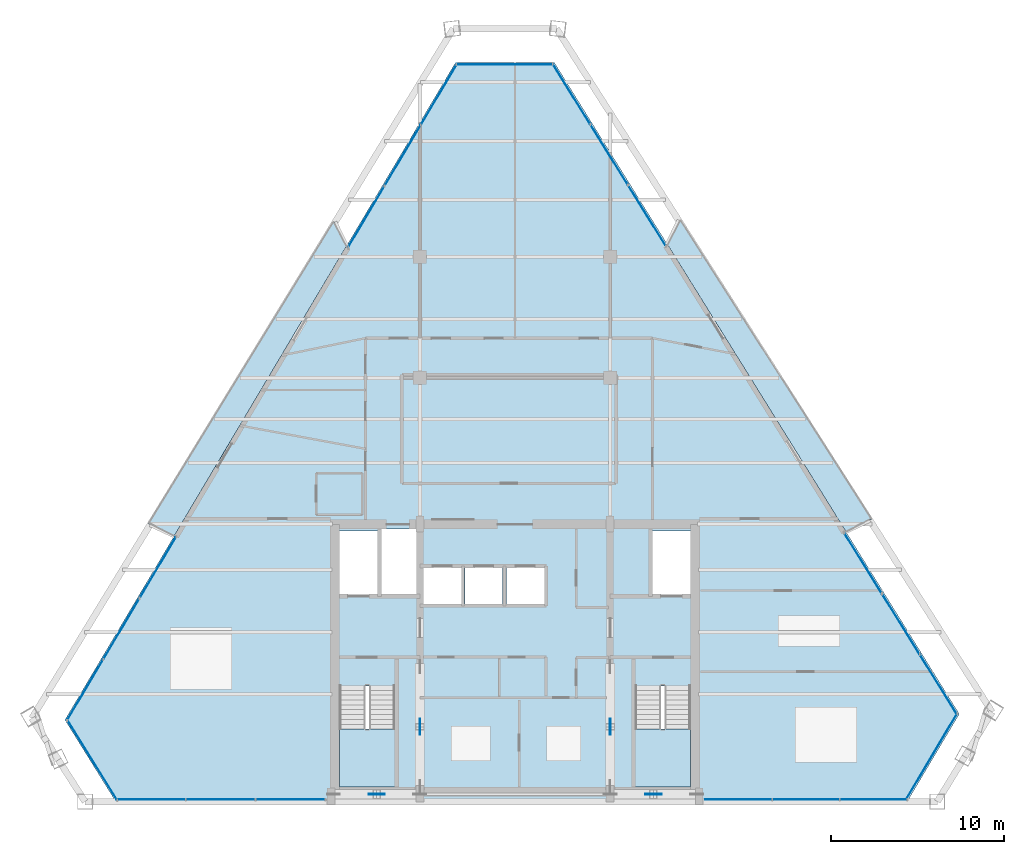
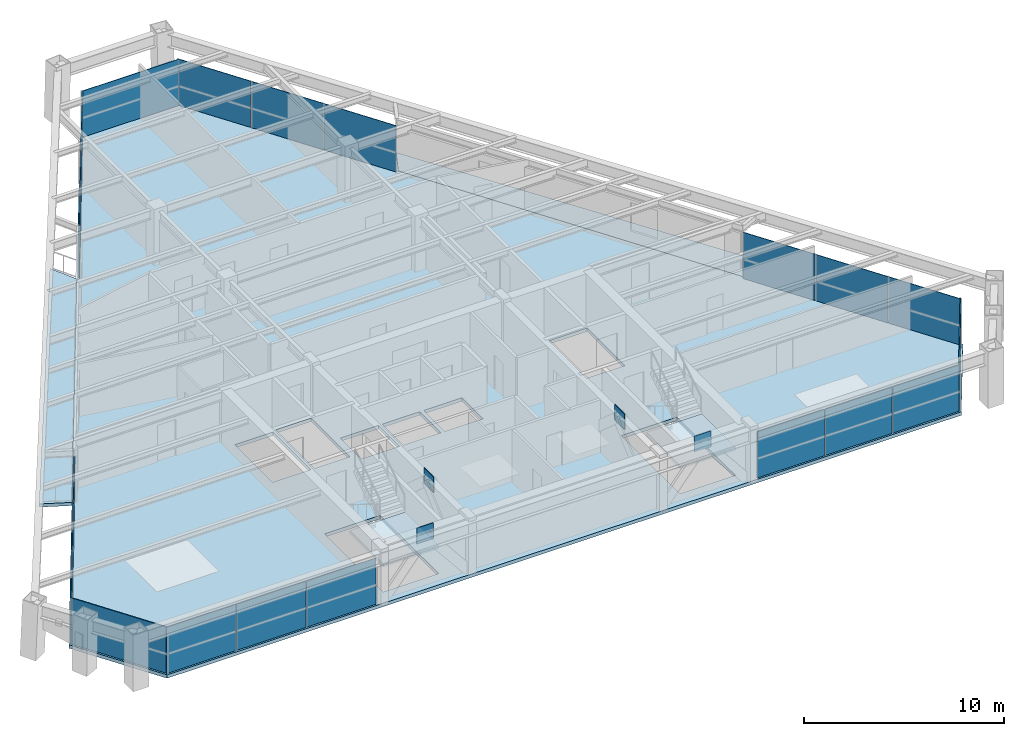
# One storey, part 7 of 12: 25 plates, 5 slabs, 11 elements without a shape of their own.
"""IFC4 building model written with IfcOpenShell, lengths in metres."""

import ifcopenshell
import ifcopenshell.guid

model = None  # the IFC model being written
_history = None  # IfcOwnerHistory: only IFC2X3 demands one
_inside = {}  # id of a spatial element -> (the spatial element, [elements in it])
_under = {}  # id of a project, library or spatial element -> (it, [spatial elements below it])
_declared = {}  # id of a project -> (the project, [libraries it declares])
_typed = {}  # id of a type object -> (the type object, [elements of that type])
_made_of = {}  # id of a material, layer set ... -> (it, [elements and type objects made of it])


def new_model(schema):
    """Start an empty IFC model of exactly this schema.

    Asked for "IFC4X3", IfcOpenShell would pick the latest addendum, in which some entities
    have other attributes; the version numbers below select the first issue.
    IFC2X3 requires an IfcOwnerHistory on every rooted entity: one is made here for all.
    """
    global model, _history
    if schema == "IFC4X3":
        model = ifcopenshell.file(schema_version=(4, 3, 0, 0))
    else:
        model = ifcopenshell.file(schema=schema)
    _inside.clear()
    _under.clear()
    _declared.clear()
    _typed.clear()
    _made_of.clear()
    _history = None
    if model.schema == "IFC2X3":
        org = make("IfcOrganization", Name="unknown")
        user = make(
            "IfcPersonAndOrganization",
            ThePerson=make("IfcPerson", FamilyName="unknown"),
            TheOrganization=org,
        )
        app = make(
            "IfcApplication",
            ApplicationDeveloper=org,
            Version="unknown",
            ApplicationFullName="unknown",
            ApplicationIdentifier="unknown",
        )
        _history = make(
            "IfcOwnerHistory",
            OwningUser=user,
            OwningApplication=app,
            ChangeAction="ADDED",
            CreationDate=0,
        )
    return model


def make(cls, **values):
    """One entity of the class cls with the attributes given. An attribute that is None is left unset."""
    return model.create_entity(
        cls, **{name: value for name, value in values.items() if value is not None}
    )


def rooted(cls, **values):
    """An entity with a GlobalId (a new one), such as an element, a storey or a relation."""
    return make(cls, GlobalId=ifcopenshell.guid.new(), OwnerHistory=_history, **values)


def si_unit(unit_type, name, prefix=None):
    """IfcSIUnit, for example si_unit("LENGTHUNIT", "METRE", prefix="MILLI")."""
    return make("IfcSIUnit", UnitType=unit_type, Prefix=prefix, Name=name)


def assignment(units):
    """IfcUnitAssignment: the units of a project."""
    return None if units is None else make("IfcUnitAssignment", Units=units)


def point(xyz):
    """IfcCartesianPoint."""
    return None if xyz is None else make("IfcCartesianPoint", Coordinates=xyz)


def direction(xyz):
    """IfcDirection."""
    return None if xyz is None else make("IfcDirection", DirectionRatios=xyz)


def frame(location, z_axis=None, x_axis=None):
    """IfcAxis2Placement3D, a coordinate frame: its origin and axes. An axis left out is left unset."""
    return make(
        "IfcAxis2Placement3D",
        Location=point(location),
        Axis=direction(z_axis),
        RefDirection=direction(x_axis),
    )


def frame_2d(location, x_axis=None):
    """IfcAxis2Placement2D, a coordinate frame in the plane: its origin and x axis."""
    return make(
        "IfcAxis2Placement2D", Location=point(location), RefDirection=direction(x_axis)
    )


def origin():
    """The frame at (0, 0, 0) with its axes left unset."""
    return frame((0.0, 0.0, 0.0))


def origin_2d():
    """The frame at (0, 0) in the plane with its x axis left unset."""
    return frame_2d((0.0, 0.0))


def place(relative_to, where):
    """IfcLocalPlacement: puts the frame where relative to a parent placement (None: the world)."""
    return make(
        "IfcLocalPlacement", PlacementRelTo=relative_to, RelativePlacement=where
    )


def context(
    kind, dimensions, precision=None, world=None, true_north=None, identifier=None
):
    """IfcGeometricRepresentationContext, for example the 3D "Model" context."""
    return make(
        "IfcGeometricRepresentationContext",
        ContextIdentifier=identifier,
        ContextType=kind,
        CoordinateSpaceDimension=dimensions,
        Precision=precision,
        WorldCoordinateSystem=world,
        TrueNorth=true_north,
    )


def subcontext(parent, identifier, kind, view, scale=None):
    """IfcGeometricRepresentationSubContext, for example "Body" below "Model"."""
    return make(
        "IfcGeometricRepresentationSubContext",
        ContextIdentifier=identifier,
        ContextType=kind,
        ParentContext=parent,
        TargetScale=scale,
        TargetView=view,
    )


def project(units=None, contexts=None):
    """IfcProject with its units and contexts."""
    return rooted(
        "IfcProject",
        Name="project",
        RepresentationContexts=contexts,
        UnitsInContext=assignment(units),
    )


def spatial(cls, under=None, at=None, **own):
    """A site, building, storey or space (cls), placed at a placement, below another one or the project."""
    s = rooted(cls, ObjectPlacement=at, **own)
    if under is not None:
        _under.setdefault(under.id(), (under, []))[1].append(s)
    return s


def polyline(points):
    """IfcPolyline through the points."""
    return make("IfcPolyline", Points=[point(p) for p in points])


def profile(cls, at=None, kind="AREA", **sizes):
    """A parametric profile (cls). Its sizes go by their IFC names, for example OverallWidth=200.0."""
    return make(cls, ProfileType=kind, Position=at, **sizes)


def rectangle(**sizes):
    """IfcRectangleProfileDef."""
    return profile("IfcRectangleProfileDef", **sizes)


def outline(outer, holes=None, kind="AREA"):
    """IfcArbitraryClosedProfileDef: a profile drawn as a closed curve; with holes, ...WithVoids."""
    if holes is None:
        return make("IfcArbitraryClosedProfileDef", ProfileType=kind, OuterCurve=outer)
    return make(
        "IfcArbitraryProfileDefWithVoids",
        ProfileType=kind,
        OuterCurve=outer,
        InnerCurves=holes,
    )


def extrude(swept, where, along, depth):
    """IfcExtrudedAreaSolid: the profile swept, set in the frame where, extruded along a direction by depth."""
    return make(
        "IfcExtrudedAreaSolid",
        SweptArea=swept,
        Position=where,
        ExtrudedDirection=direction(along),
        Depth=depth,
    )


def shape(context_of_items, identifier, shape_type, items):
    """IfcShapeRepresentation: the items that make up one representation, for example the "Body"."""
    return make(
        "IfcShapeRepresentation",
        ContextOfItems=context_of_items,
        RepresentationIdentifier=identifier,
        RepresentationType=shape_type,
        Items=items,
    )


def source(mapping_origin, context_of_items, identifier, shape_type, items):
    """IfcRepresentationMap: a shape defined once, which mapped items show again and again."""
    return make(
        "IfcRepresentationMap",
        MappingOrigin=mapping_origin,
        MappedRepresentation=shape(context_of_items, identifier, shape_type, items),
    )


def transform(
    local_origin,
    x_axis=None,
    y_axis=None,
    z_axis=None,
    scale=None,
    scale2=None,
    scale3=None,
    uniform=True,
):
    """IfcCartesianTransformationOperator3D, or its non-uniform kind. x_axis, y_axis, z_axis: its Axis1, 2, 3."""
    if uniform:
        return make(
            "IfcCartesianTransformationOperator3D",
            Axis1=direction(x_axis),
            Axis2=direction(y_axis),
            LocalOrigin=point(local_origin),
            Scale=scale,
            Axis3=direction(z_axis),
        )
    return make(
        "IfcCartesianTransformationOperator3DnonUniform",
        Axis1=direction(x_axis),
        Axis2=direction(y_axis),
        LocalOrigin=point(local_origin),
        Scale=scale,
        Axis3=direction(z_axis),
        Scale2=scale2,
        Scale3=scale3,
    )


def mapped(mapping_source, mapping_target):
    """IfcMappedItem: shows the shape of a source again, moved by a transform."""
    return make(
        "IfcMappedItem", MappingSource=mapping_source, MappingTarget=mapping_target
    )


def material(Name=None, Category=None):
    """IfcMaterial."""
    return make("IfcMaterial", Name=Name, Category=Category)


def layer(
    of_material, thickness, ventilated=None, Name=None, Category=None, Priority=None
):
    """IfcMaterialLayer: one layer of a wall or slab, of a material (None: an air gap)."""
    return make(
        "IfcMaterialLayer",
        Material=of_material,
        LayerThickness=thickness,
        IsVentilated=ventilated,
        Name=Name,
        Category=Category,
        Priority=Priority,
    )


def layer_set(layers, Name=None):
    """IfcMaterialLayerSet."""
    return make("IfcMaterialLayerSet", MaterialLayers=layers, LayerSetName=Name)


def made_of(thing, what):
    """Note that an element or type object is made of a material, layer set ...; save() writes the relation."""
    if what is not None:
        _made_of.setdefault(what.id(), (what, []))[1].append(thing)
    return thing


def type_object(cls, material=None, **own):
    """A type object (cls), such as IfcWallType, which elements share."""
    return made_of(rooted(cls, **own), material)


def element(
    cls,
    number,
    at=None,
    inside=None,
    cuts=None,
    type_object=None,
    material=None,
    context=None,
    identifier="Body",
    shape_type=None,
    held_by="IfcProductDefinitionShape",
    body=None,
    shapes=None,
    **own,
):
    """One element of the class cls, such as IfcWall. Its Tag is "e" and its number.

    at: its placement. inside: the storey or other place that contains it. cuts: it is an
    opening in that element (IfcRelVoidsElement). A single representation is given by context,
    identifier, shape_type and body (its items); several are given by shapes. held_by: the class
    of the entity that holds the representations. save() writes the other relations.
    """
    e = rooted(cls, Tag="e%d" % number, ObjectPlacement=at, **own)
    if body is not None:
        shapes = [shape(context, identifier, shape_type, body)]
    if shapes is not None:
        e.Representation = make(held_by, Representations=shapes)
    if inside is not None:
        _inside.setdefault(inside.id(), (inside, []))[1].append(e)
    if cuts is not None:
        rooted(
            "IfcRelVoidsElement", RelatingBuildingElement=cuts, RelatedOpeningElement=e
        )
    if type_object is not None:
        _typed.setdefault(type_object.id(), (type_object, []))[1].append(e)
    return made_of(e, material)


def aggregate(whole, parts):
    """IfcRelAggregates: a whole, such as a stair, and the parts it consists of."""
    return rooted("IfcRelAggregates", RelatingObject=whole, RelatedObjects=parts)


def save(model, path):
    """Write the relations noted so far, then the file.

    IfcRelAggregates (storeys below a building ...), IfcRelContainedInSpatialStructure (elements
    in a storey), IfcRelDefinesByType, IfcRelAssociatesMaterial and IfcRelDeclares: one each for
    every whole, place, type object, material and project.
    """
    for whole, parts in _under.values():
        aggregate(whole, parts)
    for where, things in _inside.values():
        rooted(
            "IfcRelContainedInSpatialStructure",
            RelatedElements=things,
            RelatingStructure=where,
        )
    for kind, things in _typed.values():
        rooted("IfcRelDefinesByType", RelatedObjects=things, RelatingType=kind)
    for what, things in _made_of.values():
        rooted("IfcRelAssociatesMaterial", RelatedObjects=things, RelatingMaterial=what)
    for by, libraries in _declared.values():
        rooted("IfcRelDeclares", RelatingContext=by, RelatedDefinitions=libraries)
    model.write(path)


model = new_model("IFC4")

# Units and contexts
model_context = context("Model", 3, precision=1e-05, world=origin(), true_north=direction((0.0, 1.0)))
body_context = subcontext(model_context, "Body", "Model", "MODEL_VIEW")
ifc_project = project(units=[si_unit("LENGTHUNIT", "METRE"), si_unit("AREAUNIT", "SQUARE_METRE"), si_unit("VOLUMEUNIT", "CUBIC_METRE"), si_unit("PLANEANGLEUNIT", "RADIAN"), si_unit("MASSUNIT", "GRAM", prefix="KILO")], contexts=[model_context])

# Site, building, storey
site_placement = place(None, origin())
site = spatial("IfcSite", under=ifc_project, at=site_placement, CompositionType="ELEMENT")
building_placement = place(site_placement, origin())
building = spatial("IfcBuilding", under=site, at=building_placement, Name="Varnakhor Terracotta Tower", CompositionType="ELEMENT")
storey_placement = place(building_placement, frame((0.0, 0.0, 230.35009765625)))
storey = spatial("IfcBuildingStorey", under=building, at=storey_placement, Name="L59", CompositionType="ELEMENT", Elevation=230.35009765625)

# Slab
ifc_material_1 = material(Name="Concrete C40/50", Category="concrete")
ifc_layer_1 = layer(ifc_material_1, 0.2099609375, Name="Concrete C40/50")
ifc_layer_set_1 = layer_set([ifc_layer_1], Name="Concrete C40/50")
slab_type_1 = type_object("IfcSlabType", Name="SLB-HTL-210", PredefinedType="FLOOR", material=ifc_layer_set_1)
slab_1_placement = place(storey_placement, frame((0.0, 0.0, -0.210205078125)))
element("IfcSlab", 1, at=slab_1_placement, inside=storey, type_object=slab_type_1, Name="L59 Structural Floor Slab", PredefinedType="FLOOR", context=body_context, shape_type="SweptSolid", body=[
    extrude(outline(polyline([(-26.03369140625, 4.7236328125), (-3.436767578125, 42.752685546875), (2.2666015625, 42.752685546875), (25.6943359375, 5.0615234375), (22.686767578125, 0.0), (-23.09765625, 0.0), (-26.03369140625, 4.7236328125)]), holes=[polyline([(-6.949951171875, 0.85009765625), (-6.949951171875, 6.695068359375), (-10.14990234375, 6.695068359375), (-10.14990234375, 0.85009765625), (-6.949951171875, 0.85009765625)]), polyline([(10.14990234375, 0.85009765625), (10.14990234375, 6.695068359375), (6.949951171875, 6.695068359375), (6.949951171875, 0.85009765625), (10.14990234375, 0.85009765625)]), polyline([(-3.10009765625, 11.419921875), (-3.10009765625, 13.52001953125), (-5.300048828125, 13.52001953125), (-5.300048828125, 11.419921875), (-3.10009765625, 11.419921875)]), polyline([(-0.719970703125, 11.419921875), (-0.719970703125, 13.52001953125), (-2.8798828125, 13.52001953125), (-2.8798828125, 11.419921875), (-0.719970703125, 11.419921875)]), polyline([(1.699951171875, 11.419921875), (1.699951171875, 13.52001953125), (-0.5, 13.52001953125), (-0.5, 11.419921875), (1.699951171875, 11.419921875)]), polyline([(-7.949951171875, 11.8798828125), (-7.949951171875, 15.64990234375), (-10.14990234375, 15.64990234375), (-10.14990234375, 11.8798828125), (-7.949951171875, 11.8798828125)]), polyline([(10.14990234375, 11.8798828125), (10.14990234375, 15.64990234375), (7.949951171875, 15.64990234375), (7.949951171875, 11.8798828125), (10.14990234375, 11.8798828125)]), polyline([(-5.699951171875, 11.8798828125), (-5.699951171875, 15.75), (-7.72998046875, 15.75), (-7.72998046875, 11.8798828125), (-5.699951171875, 11.8798828125)])]), origin(), (0.0, 0.0, 1.0), 0.210205078125),
])

# Stair, slab
stair_type = type_object("IfcStairType", Name="STR-CORE-HOTEL-1500", PredefinedType="HALF_TURN_STAIR", material=ifc_material_1)
stair_1_placement = place(storey_placement, origin())
stair_1 = element("IfcStair", 2, at=stair_1_placement, inside=storey, type_object=stair_type, Name="L59 Core Exit Stair ST-1", PredefinedType="HALF_TURN_STAIR")
ifc_layer_2 = layer(ifc_material_1, 0.179931640625, Name="Concrete C40/50")
ifc_layer_set_2 = layer_set([ifc_layer_2], Name="Concrete C40/50")
slab_type_2 = type_object("IfcSlabType", Name="SLB-LANDING-180", PredefinedType="LANDING", material=ifc_layer_set_2)
slab_2_placement = place(storey_placement, frame((0.0, 0.0, 1.52490234375)))
slab_2 = element("IfcSlab", 3, at=slab_2_placement, type_object=slab_type_2, Name="ST-1 landing 1", PredefinedType="LANDING", context=body_context, shape_type="SweptSolid", body=[
    extrude(outline(polyline([(-10.14990234375, 4.18994140625), (-10.14990234375, 0.85009765625), (-6.949951171875, 0.85009765625), (-6.949951171875, 4.18994140625), (-10.14990234375, 4.18994140625)])), origin(), (0.0, 0.0, 1.0), 0.199951171875),
])
aggregate(stair_1, [slab_2])

stair_2_placement = place(storey_placement, origin())
stair_2 = element("IfcStair", 4, at=stair_2_placement, inside=storey, type_object=stair_type, Name="L59 Core Exit Stair ST-2", PredefinedType="HALF_TURN_STAIR")
slab_3_placement = place(storey_placement, frame((0.0, 0.0, 1.52490234375)))
slab_3 = element("IfcSlab", 5, at=slab_3_placement, type_object=slab_type_2, Name="ST-2 landing 1", PredefinedType="LANDING", context=body_context, shape_type="SweptSolid", body=[
    extrude(outline(polyline([(6.949951171875, 4.18994140625), (6.949951171875, 0.85009765625), (10.14990234375, 0.85009765625), (10.14990234375, 4.18994140625), (6.949951171875, 4.18994140625)])), origin(), (0.0, 0.0, 1.0), 0.199951171875),
])
aggregate(stair_2, [slab_3])

# Slabs
ifc_layer_3 = layer(ifc_material_1, 0.195068359375, Name="Concrete C40/50")
ifc_layer_set_3 = layer_set([ifc_layer_3], Name="Concrete C40/50")
slab_type_3 = type_object("IfcSlabType", Name="SLB-LOGGIA-EXT-195", PredefinedType="FLOOR", material=ifc_layer_set_3)
slab_4_placement = place(storey_placement, frame((0.0, 0.0, -0.195068359375)))
element("IfcSlab", 6, at=slab_4_placement, inside=storey, type_object=slab_type_3, Name="L59 E Recessed Outdoor Loggia Slab", PredefinedType="FLOOR", context=body_context, shape_type="SweptSolid", body=[
    extrude(outline(polyline([(9.533203125, 33.658447265625), (20.610595703125, 16.32275390625), (19.134521484375, 15.614990234375), (10.919677734375, 28.83154296875), (8.826416015625, 32.19921875), (9.533203125, 33.658447265625)])), origin(), (0.0, 0.0, 1.0), 0.195068359375),
])
slab_5_placement = place(storey_placement, frame((0.0, 0.0, -0.195068359375)))
element("IfcSlab", 7, at=slab_5_placement, inside=storey, type_object=slab_type_3, Name="L59 W Recessed Outdoor Loggia Slab", PredefinedType="FLOOR", context=body_context, shape_type="SweptSolid", body=[
    extrude(outline(polyline([(-21.19384765625, 16.068359375), (-10.47509765625, 33.5595703125), (-9.763916015625, 32.1044921875), (-19.70654296875, 15.371826171875), (-21.19384765625, 16.068359375)])), origin(), (0.0, 0.0, 1.0), 0.195068359375),
])

# Plates
ifc_material_2 = material(Name="Steel S460", Category="steel")
ifc_layer_4 = layer(ifc_material_2, 0.050048828125, Name="Steel S460")
ifc_layer_set_4 = layer_set([ifc_layer_4], Name="Steel S460")
plate_type_1 = type_object("IfcPlateType", Name="PLT-GUSSET-50", PredefinedType="USERDEFINED", material=ifc_layer_set_4)
shared_shape_1 = source(origin(), body_context, "Body", "SweptSolid", [
    extrude(rectangle(XDim=0.949951171875, YDim=0.044921875, at=origin_2d()), origin(), (0.0, 0.0, 1.0), 0.949951171875),
])
for number, where, z_axis, x_axis, name in (
    (8, (-8.0, 0.419921875, 2.61474609375), (0.0, 0.0, 1.0), (1.0, 0.0, 0.0), "L59 Core Brace Apex Gusset CSW"),
    (9, (8.0, 0.419921875, 2.61474609375), (0.0, 0.0, 1.0), (1.0, 0.0, 0.0), "L59 Core Brace Apex Gusset CSE"),
    (10, (-5.5, 4.324951171875, 2.61474609375), (0.0, 0.0, 1.0), (0.0, 1.0, 0.0), "L59 Core Brace Apex Gusset CWW"),
    (11, (5.5, 4.324951171875, 2.61474609375), (0.0, 0.0, 1.0), (0.0, 1.0, 0.0), "L59 Core Brace Apex Gusset CWE"),
):
    element("IfcPlate", number, at=place(storey_placement, frame(where, z_axis=z_axis, x_axis=x_axis)), inside=storey, type_object=plate_type_1, Name=name, ObjectType="GUSSET PLATE", PredefinedType="USERDEFINED", context=body_context, shape_type="MappedRepresentation", body=[
        mapped(shared_shape_1, transform((0.0, 0.0, 0.0), scale=1.0)),
    ])

# Curtain wall, plates
ifc_material_3 = material(Name="Anodised Aluminium Curtain Wall System", Category="aluminium")
curtain_wall_type = type_object("IfcCurtainWallType", Name="CW-SYS-HOTEL-LOGGIA", PredefinedType="NOTDEFINED", material=ifc_material_3)
curtain_wall_1_placement = place(storey_placement, origin())
curtain_wall_1 = element("IfcCurtainWall", 12, at=curtain_wall_1_placement, inside=storey, type_object=curtain_wall_type, Name="L59 South Wing Curtain Wall SSE", PredefinedType="NOTDEFINED")
ifc_material_4 = material(Name="Solar-Control Low-E Insulated Glass Panel", Category="glass")
ifc_layer_5 = layer(ifc_material_4, 0.033935546875, Name="Solar-Control Low-E Insulated Glass Panel")
ifc_layer_set_5 = layer_set([ifc_layer_5], Name="Solar-Control Low-E Insulated Glass Panel")
plate_type_2 = type_object("IfcPlateType", Name="CWP-04", PredefinedType="CURTAIN_PANEL", material=ifc_layer_set_5)
shared_shape_2 = source(origin(), body_context, "Body", "SweptSolid", [
    extrude(rectangle(XDim=3.8623046875, YDim=0.035888671875, at=origin_2d()), origin(), (0.0, 0.0, 1.0), 2.820068359375),
])
plate_1_placement = place(storey_placement, frame((20.7255859375, 0.1201171875, 0.0), z_axis=(0.0, 0.0, 1.0), x_axis=(-1.0, 0.0, 0.0)))
plate_1 = element("IfcPlate", 13, at=plate_1_placement, type_object=plate_type_2, Name="L59 South Wing Curtain Wall SSE Glazed Panel 1", PredefinedType="CURTAIN_PANEL", context=body_context, shape_type="MappedRepresentation", body=[
    mapped(shared_shape_2, transform((0.0, 0.0, 0.0), scale=1.0)),
])
plate_2_placement = place(storey_placement, frame((16.823486328125, 0.1201171875, 0.0), z_axis=(0.0, 0.0, 1.0), x_axis=(-1.0, 0.0, 0.0)))
plate_2 = element("IfcPlate", 14, at=plate_2_placement, type_object=plate_type_2, Name="L59 South Wing Curtain Wall SSE Glazed Panel 2", PredefinedType="CURTAIN_PANEL", context=body_context, shape_type="MappedRepresentation", body=[
    mapped(shared_shape_2, transform((0.0, 0.0, 0.0), scale=1.0)),
])
plate_3_placement = place(storey_placement, frame((12.921142578125, 0.1201171875, 0.0), z_axis=(0.0, 0.0, 1.0), x_axis=(-1.0, 0.0, 0.0)))
plate_3 = element("IfcPlate", 15, at=plate_3_placement, type_object=plate_type_2, Name="L59 South Wing Curtain Wall SSE Glazed Panel 3", PredefinedType="CURTAIN_PANEL", context=body_context, shape_type="MappedRepresentation", body=[
    mapped(shared_shape_2, transform((0.0, 0.0, 0.0), scale=1.0)),
])
aggregate(curtain_wall_1, [plate_1, plate_2, plate_3])

curtain_wall_2_placement = place(storey_placement, origin())
curtain_wall_2 = element("IfcCurtainWall", 16, at=curtain_wall_2_placement, inside=storey, type_object=curtain_wall_type, Name="L59 W Facet Curtain Wall 1", PredefinedType="NOTDEFINED")
shared_shape_3 = source(origin(), body_context, "Body", "SweptSolid", [
    extrude(rectangle(XDim=4.068603515625, YDim=0.035888671875, at=origin_2d()), origin(), (0.0, 0.0, 1.0), 2.820068359375),
])
plate_4_placement = place(storey_placement, frame((-24.865966796875, 6.4541015625, 0.0), z_axis=(0.0, 0.0, 1.0), x_axis=(0.510828027646, 0.859682921879, 0.0)))
plate_4 = element("IfcPlate", 17, at=plate_4_placement, type_object=plate_type_2, Name="L59 W Facet Curtain Wall 1 Glazed Panel 1", PredefinedType="CURTAIN_PANEL", context=body_context, shape_type="MappedRepresentation", body=[
    mapped(shared_shape_3, transform((0.0, 0.0, 0.0), scale=1.0)),
])
plate_5_placement = place(storey_placement, frame((-22.76708984375, 9.986328125, 0.0), z_axis=(0.0, 0.0, 1.0), x_axis=(0.510828027646, 0.859682921879, 0.0)))
plate_5 = element("IfcPlate", 18, at=plate_5_placement, type_object=plate_type_2, Name="L59 W Facet Curtain Wall 1 Glazed Panel 2", PredefinedType="CURTAIN_PANEL", context=body_context, shape_type="MappedRepresentation", body=[
    mapped(shared_shape_3, transform((0.0, 0.0, 0.0), scale=1.0)),
])
plate_6_placement = place(storey_placement, frame((-20.668212890625, 13.5185546875, 0.0), z_axis=(0.0, 0.0, 1.0), x_axis=(0.510828027646, 0.859682921879, 0.0)))
plate_6 = element("IfcPlate", 19, at=plate_6_placement, type_object=plate_type_2, Name="L59 W Facet Curtain Wall 1 Glazed Panel 3", PredefinedType="CURTAIN_PANEL", context=body_context, shape_type="MappedRepresentation", body=[
    mapped(shared_shape_3, transform((0.0, 0.0, 0.0), scale=1.0)),
])
aggregate(curtain_wall_2, [plate_4, plate_5, plate_6])

curtain_wall_3_placement = place(storey_placement, origin())
curtain_wall_3 = element("IfcCurtainWall", 20, at=curtain_wall_3_placement, inside=storey, type_object=curtain_wall_type, Name="L59 W Facet Curtain Wall 2", PredefinedType="NOTDEFINED")
plate_7_placement = place(storey_placement, frame((-8.595947265625, 33.835205078125, 0.0), z_axis=(0.0, 0.0, 1.0), x_axis=(0.510828027646, 0.859682921879, 0.0)))
plate_7 = element("IfcPlate", 21, at=plate_7_placement, type_object=plate_type_2, Name="L59 W Facet Curtain Wall 2 Glazed Panel 1", PredefinedType="CURTAIN_PANEL", context=body_context, shape_type="MappedRepresentation", body=[
    mapped(shared_shape_3, transform((0.0, 0.0, 0.0), scale=1.0)),
])
plate_8_placement = place(storey_placement, frame((-6.4970703125, 37.367431640625, 0.0), z_axis=(0.0, 0.0, 1.0), x_axis=(0.510828027646, 0.859682921879, 0.0)))
plate_8 = element("IfcPlate", 22, at=plate_8_placement, type_object=plate_type_2, Name="L59 W Facet Curtain Wall 2 Glazed Panel 2", PredefinedType="CURTAIN_PANEL", context=body_context, shape_type="MappedRepresentation", body=[
    mapped(shared_shape_3, transform((0.0, 0.0, 0.0), scale=1.0)),
])
plate_9_placement = place(storey_placement, frame((-4.398193359375, 40.899658203125, 0.0), z_axis=(0.0, 0.0, 1.0), x_axis=(0.510828027646, 0.859682921879, 0.0)))
plate_9 = element("IfcPlate", 23, at=plate_9_placement, type_object=plate_type_2, Name="L59 W Facet Curtain Wall 2 Glazed Panel 3", PredefinedType="CURTAIN_PANEL", context=body_context, shape_type="MappedRepresentation", body=[
    mapped(shared_shape_3, transform((0.0, 0.0, 0.0), scale=1.0)),
])
aggregate(curtain_wall_3, [plate_7, plate_8, plate_9])

# Curtain wall, plate
curtain_wall_4_placement = place(storey_placement, origin())
curtain_wall_4 = element("IfcCurtainWall", 24, at=curtain_wall_4_placement, inside=storey, type_object=curtain_wall_type, Name="L59 Facet Curtain Wall 2", PredefinedType="NOTDEFINED")
shared_shape_4 = source(origin(), body_context, "Body", "SweptSolid", [
    extrude(rectangle(XDim=5.603271484375, YDim=0.035888671875, at=origin_2d()), origin(), (0.0, 0.0, 1.0), 2.820068359375),
])
plate_10_placement = place(storey_placement, frame((-0.585205078125, 42.6328125, 0.0), z_axis=(0.0, 0.0, 1.0), x_axis=(1.0, 0.0, 0.0)))
plate_10 = element("IfcPlate", 25, at=plate_10_placement, type_object=plate_type_2, Name="L59 Facet Curtain Wall 2 Glazed Panel 1", PredefinedType="CURTAIN_PANEL", context=body_context, shape_type="MappedRepresentation", body=[
    mapped(shared_shape_4, transform((0.0, 0.0, 0.0), scale=1.0)),
])
aggregate(curtain_wall_4, [plate_10])

# Curtain wall, plates
curtain_wall_5_placement = place(storey_placement, origin())
curtain_wall_5 = element("IfcCurtainWall", 26, at=curtain_wall_5_placement, inside=storey, type_object=curtain_wall_type, Name="L59 E Facet Curtain Wall 1", PredefinedType="NOTDEFINED")
shared_shape_5 = source(origin(), body_context, "Body", "SweptSolid", [
    extrude(rectangle(XDim=4.08203125, YDim=0.035888671875, at=origin_2d()), origin(), (0.0, 0.0, 1.0), 2.820068359375),
])
plate_11_placement = place(storey_placement, frame((3.268310546875, 40.91357421875, 0.0), z_axis=(0.0, 0.0, 1.0), x_axis=(0.527904805805, -0.849303547625, 0.0)))
plate_11 = element("IfcPlate", 27, at=plate_11_placement, type_object=plate_type_2, Name="L59 E Facet Curtain Wall 1 Glazed Panel 1", PredefinedType="CURTAIN_PANEL", context=body_context, shape_type="MappedRepresentation", body=[
    mapped(shared_shape_5, transform((0.0, 0.0, 0.0), scale=1.0)),
])
plate_12_placement = place(storey_placement, frame((5.444580078125, 37.41259765625, 0.0), z_axis=(0.0, 0.0, 1.0), x_axis=(0.527904805805, -0.849303547625, 0.0)))
plate_12 = element("IfcPlate", 28, at=plate_12_placement, type_object=plate_type_2, Name="L59 E Facet Curtain Wall 1 Glazed Panel 2", PredefinedType="CURTAIN_PANEL", context=body_context, shape_type="MappedRepresentation", body=[
    mapped(shared_shape_5, transform((0.0, 0.0, 0.0), scale=1.0)),
])
plate_13_placement = place(storey_placement, frame((7.62060546875, 33.911865234375, 0.0), z_axis=(0.0, 0.0, 1.0), x_axis=(0.527904805805, -0.849303547625, 0.0)))
plate_13 = element("IfcPlate", 29, at=plate_13_placement, type_object=plate_type_2, Name="L59 E Facet Curtain Wall 1 Glazed Panel 3", PredefinedType="CURTAIN_PANEL", context=body_context, shape_type="MappedRepresentation", body=[
    mapped(shared_shape_5, transform((0.0, 0.0, 0.0), scale=1.0)),
])
aggregate(curtain_wall_5, [plate_11, plate_12, plate_13])

curtain_wall_6_placement = place(storey_placement, origin())
curtain_wall_6 = element("IfcCurtainWall", 30, at=curtain_wall_6_placement, inside=storey, type_object=curtain_wall_type, Name="L59 E Facet Curtain Wall 2", PredefinedType="NOTDEFINED")
plate_14_placement = place(storey_placement, frame((20.136474609375, 13.77587890625, 0.0), z_axis=(0.0, 0.0, 1.0), x_axis=(0.527904805805, -0.849303547625, 0.0)))
plate_14 = element("IfcPlate", 31, at=plate_14_placement, type_object=plate_type_2, Name="L59 E Facet Curtain Wall 2 Glazed Panel 1", PredefinedType="CURTAIN_PANEL", context=body_context, shape_type="MappedRepresentation", body=[
    mapped(shared_shape_5, transform((0.0, 0.0, 0.0), scale=1.0)),
])
plate_15_placement = place(storey_placement, frame((22.3125, 10.27490234375, 0.0), z_axis=(0.0, 0.0, 1.0), x_axis=(0.527904805805, -0.849303547625, 0.0)))
plate_15 = element("IfcPlate", 32, at=plate_15_placement, type_object=plate_type_2, Name="L59 E Facet Curtain Wall 2 Glazed Panel 2", PredefinedType="CURTAIN_PANEL", context=body_context, shape_type="MappedRepresentation", body=[
    mapped(shared_shape_5, transform((0.0, 0.0, 0.0), scale=1.0)),
])
plate_16_placement = place(storey_placement, frame((24.488525390625, 6.774169921875, 0.0), z_axis=(0.0, 0.0, 1.0), x_axis=(0.527904805805, -0.849303547625, 0.0)))
plate_16 = element("IfcPlate", 33, at=plate_16_placement, type_object=plate_type_2, Name="L59 E Facet Curtain Wall 2 Glazed Panel 3", PredefinedType="CURTAIN_PANEL", context=body_context, shape_type="MappedRepresentation", body=[
    mapped(shared_shape_5, transform((0.0, 0.0, 0.0), scale=1.0)),
])
aggregate(curtain_wall_6, [plate_14, plate_15, plate_16])

# Curtain wall, plate
curtain_wall_7_placement = place(storey_placement, origin())
curtain_wall_7 = element("IfcCurtainWall", 34, at=curtain_wall_7_placement, inside=storey, type_object=curtain_wall_type, Name="L59 Facet Curtain Wall 4", PredefinedType="NOTDEFINED")
shared_shape_6 = source(origin(), body_context, "Body", "SweptSolid", [
    extrude(rectangle(XDim=5.78759765625, YDim=0.035888671875, at=origin_2d()), origin(), (0.0, 0.0, 1.0), 2.820068359375),
])
plate_17_placement = place(storey_placement, frame((24.08740234375, 2.592041015625, 0.0), z_axis=(0.0, 0.0, 1.0), x_axis=(-0.510828027646, -0.859682921879, 0.0)))
plate_17 = element("IfcPlate", 35, at=plate_17_placement, type_object=plate_type_2, Name="L59 Facet Curtain Wall 4 Glazed Panel 1", PredefinedType="CURTAIN_PANEL", context=body_context, shape_type="MappedRepresentation", body=[
    mapped(shared_shape_6, transform((0.0, 0.0, 0.0), scale=1.0)),
])
aggregate(curtain_wall_7, [plate_17])

# Curtain wall, plates
curtain_wall_8_placement = place(storey_placement, origin())
curtain_wall_8 = element("IfcCurtainWall", 36, at=curtain_wall_8_placement, inside=storey, type_object=curtain_wall_type, Name="L59 South Wing Curtain Wall SSW", PredefinedType="NOTDEFINED")
shared_shape_7 = source(origin(), body_context, "Body", "SweptSolid", [
    extrude(rectangle(XDim=3.999267578125, YDim=0.035888671875, at=origin_2d()), origin(), (0.0, 0.0, 1.0), 2.820068359375),
])
plate_18_placement = place(storey_placement, frame((-12.989501953125, 0.1201171875, 0.0), z_axis=(0.0, 0.0, 1.0), x_axis=(-1.0, 0.0, 0.0)))
plate_18 = element("IfcPlate", 37, at=plate_18_placement, type_object=plate_type_2, Name="L59 South Wing Curtain Wall SSW Glazed Panel 1", PredefinedType="CURTAIN_PANEL", context=body_context, shape_type="MappedRepresentation", body=[
    mapped(shared_shape_7, transform((0.0, 0.0, 0.0), scale=1.0)),
])
plate_19_placement = place(storey_placement, frame((-17.02880859375, 0.1201171875, 0.0), z_axis=(0.0, 0.0, 1.0), x_axis=(-1.0, 0.0, 0.0)))
plate_19 = element("IfcPlate", 38, at=plate_19_placement, type_object=plate_type_2, Name="L59 South Wing Curtain Wall SSW Glazed Panel 2", PredefinedType="CURTAIN_PANEL", context=body_context, shape_type="MappedRepresentation", body=[
    mapped(shared_shape_7, transform((0.0, 0.0, 0.0), scale=1.0)),
])
plate_20_placement = place(storey_placement, frame((-21.068115234375, 0.1201171875, 0.0), z_axis=(0.0, 0.0, 1.0), x_axis=(-1.0, 0.0, 0.0)))
plate_20 = element("IfcPlate", 39, at=plate_20_placement, type_object=plate_type_2, Name="L59 South Wing Curtain Wall SSW Glazed Panel 3", PredefinedType="CURTAIN_PANEL", context=body_context, shape_type="MappedRepresentation", body=[
    mapped(shared_shape_7, transform((0.0, 0.0, 0.0), scale=1.0)),
])
aggregate(curtain_wall_8, [plate_18, plate_19, plate_20])

# Curtain wall, plate
curtain_wall_9_placement = place(storey_placement, origin())
curtain_wall_9 = element("IfcCurtainWall", 40, at=curtain_wall_9_placement, inside=storey, type_object=curtain_wall_type, Name="L59 Facet Curtain Wall 6", PredefinedType="NOTDEFINED")
shared_shape_8 = source(origin(), body_context, "Body", "SweptSolid", [
    extrude(rectangle(XDim=5.4619140625, YDim=0.035888671875, at=origin_2d()), origin(), (0.0, 0.0, 1.0), 2.820068359375),
])
plate_21_placement = place(storey_placement, frame((-24.4638671875, 2.425048828125, 0.0), z_axis=(0.0, 0.0, 1.0), x_axis=(-0.527904805805, 0.849303547625, 0.0)))
plate_21 = element("IfcPlate", 41, at=plate_21_placement, type_object=plate_type_2, Name="L59 Facet Curtain Wall 6 Glazed Panel 1", PredefinedType="CURTAIN_PANEL", context=body_context, shape_type="MappedRepresentation", body=[
    mapped(shared_shape_8, transform((0.0, 0.0, 0.0), scale=1.0)),
])
aggregate(curtain_wall_9, [plate_21])

save(model, "model.ifc")
